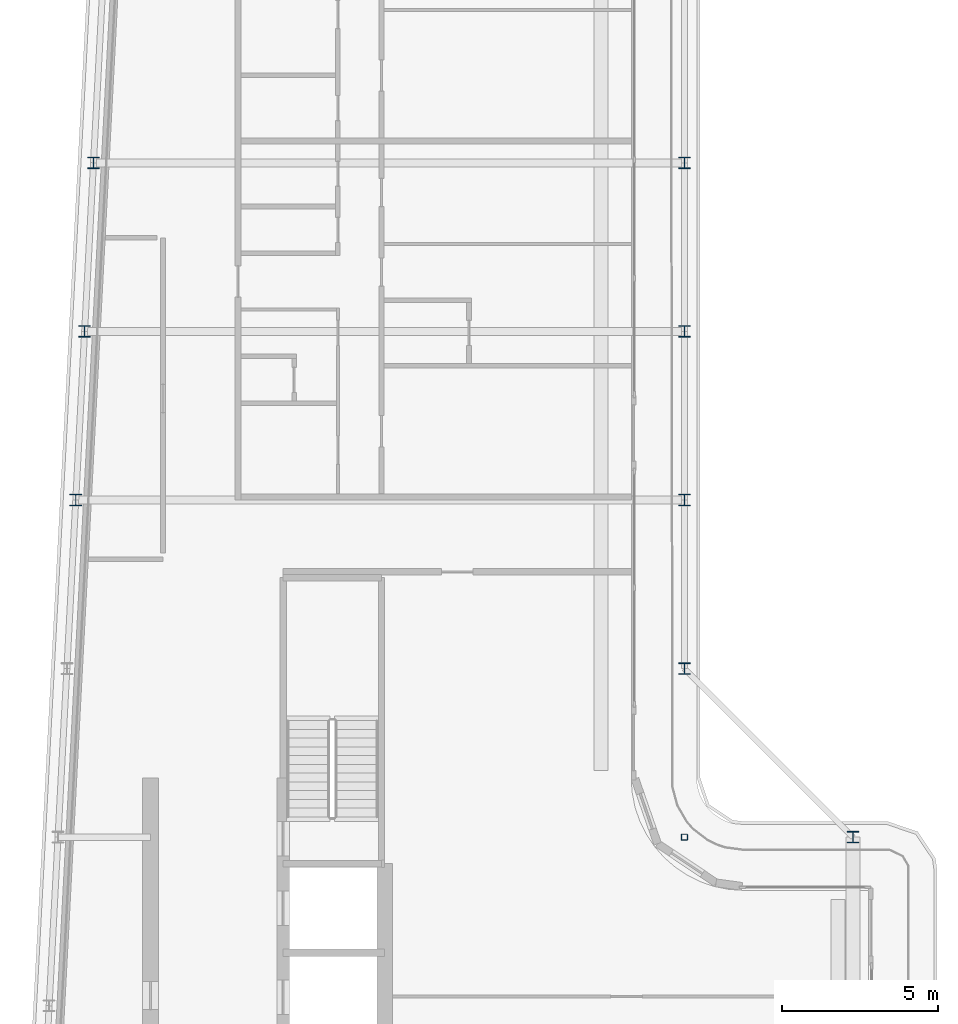
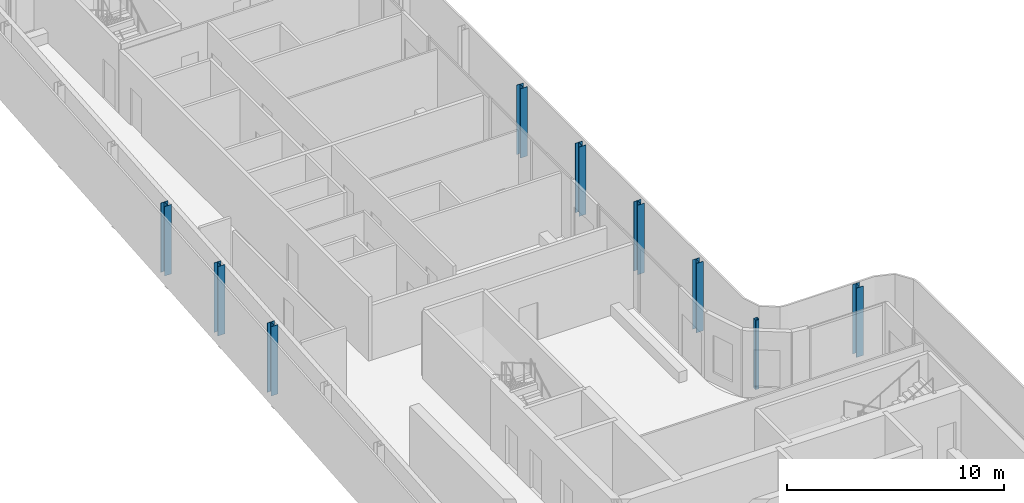
# One storey, part 2 of 17: 9 columns.
"""IFC4 building model written with IfcOpenShell, lengths in metres."""

from ifc_helpers import new_model, si_unit, direction, frame, origin, origin_2d, place, context, subcontext, project, spatial, hollow_rectangle, i_section, extrude, material, material_profile, profile_set, type_object, element, save


model = new_model("IFC4")

# Units and contexts
model_context = context("Model", 3, precision=1e-05, world=origin(), true_north=direction((0.0, 1.0)))
body_context = subcontext(model_context, "Body", "Model", "MODEL_VIEW")
ifc_project = project(units=[si_unit("LENGTHUNIT", "METRE"), si_unit("AREAUNIT", "SQUARE_METRE"), si_unit("VOLUMEUNIT", "CUBIC_METRE"), si_unit("PLANEANGLEUNIT", "RADIAN"), si_unit("MASSUNIT", "GRAM", prefix="KILO")], contexts=[model_context])

# Site, building, storey
site_placement = place(None, origin())
site = spatial("IfcSite", under=ifc_project, at=site_placement, CompositionType="ELEMENT")
building_placement = place(site_placement, origin())
building = spatial("IfcBuilding", under=site, at=building_placement, Name="Kheshtan School and Residences Tower", CompositionType="ELEMENT")
storey_placement = place(building_placement, frame((0.0, 0.0, 346.10009765625)))
storey = spatial("IfcBuildingStorey", under=building, at=storey_placement, Name="L81", CompositionType="ELEMENT", Elevation=346.10009765625)

# Columns
ifc_material_1 = material(Name="Steel ASTM A992 Grade 50", Category="steel")
ifc_material_profile_1 = material_profile(ifc_material_1, i_section(OverallWidth=0.37109375, OverallDepth=0.364013671875, WebThickness=0.01318359375, FlangeThickness=0.021728515625, FilletRadius=0.010986328125, at=origin_2d()), Name="W360x162")
ifc_profile_set_1 = profile_set([ifc_material_profile_1], Name="Steel ASTM A992 Grade 50")
column_type_1 = type_object("IfcColumnType", Name="Column C6 W360x162 ASTM A992 Grade 50", PredefinedType="COLUMN", material=ifc_profile_set_1)
for number, where, z_axis, x_axis, name in (
    (1, (53.0, 45.60009765625, 0.0), (0.0, 0.0, 1.0), (1.0, 0.0, 0.0), "Column C061"),
    (2, (47.60009765625, 51.0, 0.0), (0.0, 0.0, 1.0), (1.0, 0.0, 0.0), "Column C079"),
    (3, (28.10595703125, 56.39990234375, 0.0), (0.0, 0.0, 1.0), (1.0, 0.0, 0.0), "Column C080"),
    (4, (47.60009765625, 56.39990234375, 0.0), (0.0, 0.0, 1.0), (1.0, 0.0, 0.0), "Column C081"),
    (5, (28.389892578125, 61.800048828125, 0.0), (0.0, 0.0, 1.0), (1.0, 0.0, 0.0), "Column C082"),
    (6, (47.60009765625, 61.800048828125, 0.0), (0.0, 0.0, 1.0), (1.0, 0.0, 0.0), "Column C083"),
    (7, (28.674072265625, 67.199951171875, 0.0), (0.0, 0.0, 1.0), (1.0, 0.0, 0.0), "Column C084"),
    (8, (47.60009765625, 67.199951171875, 0.0), (0.0, 0.0, 1.0), (1.0, 0.0, 0.0), "Column C085"),
):
    element("IfcColumn", number, at=place(storey_placement, frame(where, z_axis=z_axis, x_axis=x_axis)), inside=storey, type_object=column_type_1, Name=name, PredefinedType="COLUMN", context=body_context, shape_type="SweptSolid", body=[
        extrude(i_section(OverallWidth=0.37109375, OverallDepth=0.364013671875, WebThickness=0.01318359375, FlangeThickness=0.021728515625, FilletRadius=0.010986328125, at=origin_2d()), origin(), (0.0, 0.0, 1.0), 3.89990234375),
    ])
ifc_material_2 = material(Name="Steel ASTM A500 Grade C", Category="steel")
ifc_material_profile_2 = material_profile(ifc_material_2, hollow_rectangle(XDim=0.202880859375, YDim=0.202880859375, WallThickness=0.0126953125, InnerFilletRadius=0.0126953125, OuterFilletRadius=0.025390625, at=origin_2d()), Name="HSS 203x203x12.7")
ifc_profile_set_2 = profile_set([ifc_material_profile_2], Name="Steel ASTM A500 Grade C")
column_type_2 = type_object("IfcColumnType", Name="Column IC4 HSS 203x203x12.7 ASTM A500 Grade C", PredefinedType="COLUMN", material=ifc_profile_set_2)
column_placement = place(storey_placement, frame((47.60009765625, 45.60009765625, 0.0), z_axis=(0.0, 0.0, 1.0), x_axis=(1.0, 0.0, 0.0)))
element("IfcColumn", 9, at=column_placement, inside=storey, type_object=column_type_2, Name="Column C060", PredefinedType="COLUMN", context=body_context, shape_type="SweptSolid", body=[
    extrude(hollow_rectangle(XDim=0.202880859375, YDim=0.202880859375, WallThickness=0.0126953125, InnerFilletRadius=0.0126953125, OuterFilletRadius=0.025390625, at=origin_2d()), origin(), (0.0, 0.0, 1.0), 3.89990234375),
])

save(model, "model.ifc")
